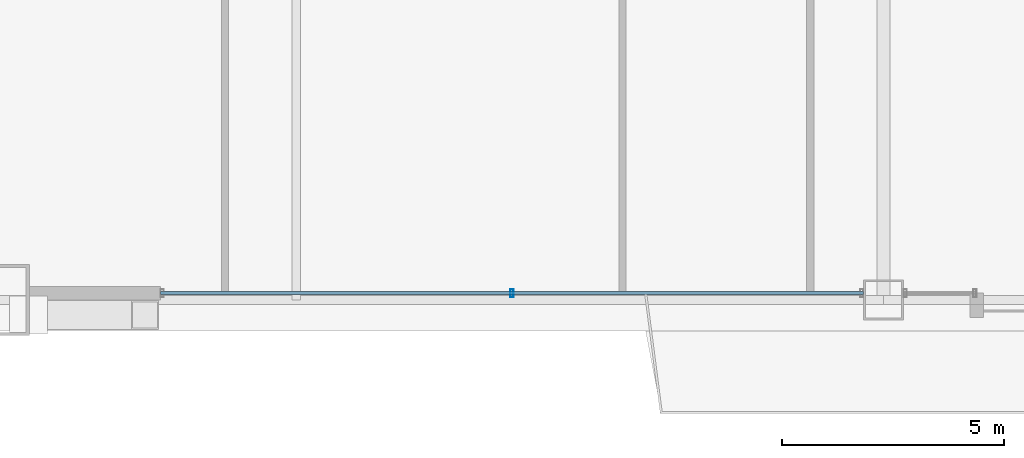
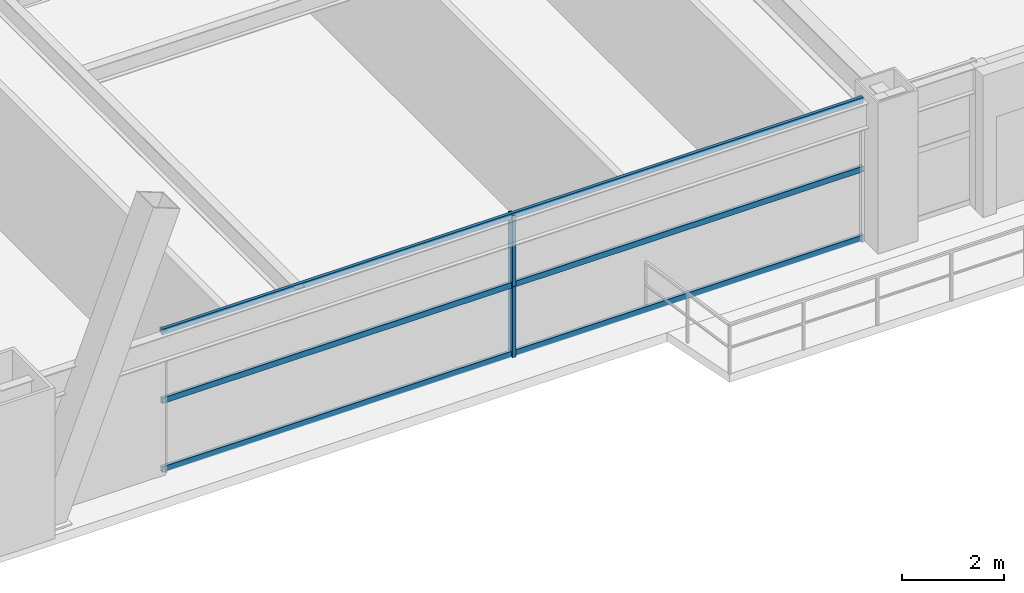
# One storey, part 6 of 41: 5 members, 1 element without a shape of its own.
"""IFC4 building model written with IfcOpenShell, lengths in metres."""

from ifc_helpers import new_model, si_unit, direction, frame, origin, origin_2d, place, context, subcontext, project, spatial, hollow_rectangle, extrude, source, transform, mapped, material, layer, layer_set, material_profile, profile_set, type_object, element, aggregate, save


model = new_model("IFC4")

# Units and contexts
model_context = context("Model", 3, precision=1e-05, world=origin(), true_north=direction((0.0, 1.0)))
body_context = subcontext(model_context, "Body", "Model", "MODEL_VIEW")
ifc_project = project(units=[si_unit("LENGTHUNIT", "METRE"), si_unit("AREAUNIT", "SQUARE_METRE"), si_unit("VOLUMEUNIT", "CUBIC_METRE"), si_unit("PLANEANGLEUNIT", "RADIAN"), si_unit("MASSUNIT", "GRAM", prefix="KILO"), si_unit("THERMODYNAMICTEMPERATUREUNIT", "KELVIN"), si_unit("POWERUNIT", "WATT")], contexts=[model_context])

# Site, building, storey
site_placement = place(None, origin())
site = spatial("IfcSite", under=ifc_project, at=site_placement, CompositionType="ELEMENT")
building_placement = place(site_placement, origin())
building = spatial("IfcBuilding", under=site, at=building_placement, Name="Yuzanri Waterfront Tower", CompositionType="ELEMENT")
storey_placement = place(building_placement, frame((0.0, 0.0, 152.39990234375)))
storey = spatial("IfcBuildingStorey", under=building, at=storey_placement, Name="L40", CompositionType="ELEMENT", Elevation=152.39990234375)

# Curtain wall, members
ifc_material_1 = material(Name="Anodized Architectural Bronze", Category="metal")
ifc_layer = layer(ifc_material_1, 0.159912109375)
ifc_layer_set = layer_set([ifc_layer], Name="Anodized Architectural Bronze")
curtain_wall_type = type_object("IfcCurtainWallType", Name="Anodized Bronze Hotel Upper-Tier Solar-Control Unitized Curtain Wall 7800", PredefinedType="NOTDEFINED", material=ifc_layer_set)
curtain_wall_placement = place(storey_placement, origin())
curtain_wall = element("IfcCurtainWall", 1, at=curtain_wall_placement, inside=storey, type_object=curtain_wall_type, Name="L40 Curtain Wall CW-L40-SL", PredefinedType="NOTDEFINED")
ifc_material_2 = material(Name="Anodized Architectural Bronze", Category="metal")
ifc_material_profile_1 = material_profile(ifc_material_2, hollow_rectangle(XDim=0.070068359375, YDim=0.179931640625, WallThickness=0.00390625, at=origin_2d()), Name="CWM 70x180")
ifc_profile_set_1 = profile_set([ifc_material_profile_1], Name="Anodized Architectural Bronze")
member_type_1 = type_object("IfcMemberType", Name="Anodized Bronze Standard Curtain-Wall Mullion 70x180", PredefinedType="MULLION", material=ifc_profile_set_1)
shared_shape_1 = source(origin(), body_context, "Body", "SweptSolid", [
    extrude(hollow_rectangle(XDim=0.070068359375, YDim=0.179931640625, WallThickness=0.00390625, at=origin_2d()), origin(), (0.0, 0.0, 1.0), 1.68798828125),
])
member_1_placement = place(storey_placement, frame((28.64990234375, 2.35009765625, 0.0), z_axis=(0.0, 0.0, 1.0), x_axis=(1.0, 0.0, 0.0)))
member_1 = element("IfcMember", 2, at=member_1_placement, type_object=member_type_1, Name="CW-L40-SL Lower Mullion 01", PredefinedType="MULLION", context=body_context, shape_type="MappedRepresentation", body=[
    mapped(shared_shape_1, transform((0.0, 0.0, 0.0), scale=1.0)),
])
member_2_placement = place(storey_placement, frame((28.64990234375, 2.35009765625, 1.692138671875), z_axis=(0.0, 0.0, 1.0), x_axis=(1.0, 0.0, 0.0)))
member_2 = element("IfcMember", 3, at=member_2_placement, type_object=member_type_1, Name="CW-L40-SL Upper Mullion 01", PredefinedType="MULLION", context=body_context, shape_type="MappedRepresentation", body=[
    mapped(shared_shape_1, transform((0.0, 0.0, 0.0), scale=1.0)),
])
ifc_material_3 = material(Name="Anodized Architectural Bronze", Category="metal")
ifc_material_profile_2 = material_profile(ifc_material_3, hollow_rectangle(XDim=0.070068359375, YDim=0.135009765625, WallThickness=0.00341796875, at=origin_2d()), Name="CWT 70x135")
ifc_profile_set_2 = profile_set([ifc_material_profile_2], Name="Anodized Architectural Bronze")
member_type_2 = type_object("IfcMemberType", Name="Anodized Bronze Standard Curtain-Wall Transom 70x135", PredefinedType="USERDEFINED", material=ifc_profile_set_2)
shared_shape_2 = source(origin(), body_context, "Body", "SweptSolid", [
    extrude(hollow_rectangle(XDim=0.070068359375, YDim=0.135009765625, WallThickness=0.00341796875, at=origin_2d()), origin(), (0.0, 0.0, 1.0), 15.800048828125),
])
member_3_placement = place(storey_placement, frame((20.75, 2.35009765625, 0.050048828125), z_axis=(1.0, 0.0, 0.0), x_axis=(0.0, 1.0, 0.0)))
member_3 = element("IfcMember", 4, at=member_3_placement, type_object=member_type_2, Name="CW-L40-SL Transom 1", ObjectType="TRANSOM", PredefinedType="USERDEFINED", context=body_context, shape_type="MappedRepresentation", body=[
    mapped(shared_shape_2, transform((0.0, 0.0, 0.0), scale=1.0)),
])
member_4_placement = place(storey_placement, frame((20.75, 2.35009765625, 1.690185546875), z_axis=(1.0, 0.0, 0.0), x_axis=(0.0, 1.0, 0.0)))
member_4 = element("IfcMember", 5, at=member_4_placement, type_object=member_type_2, Name="CW-L40-SL Transom 2", ObjectType="TRANSOM", PredefinedType="USERDEFINED", context=body_context, shape_type="MappedRepresentation", body=[
    mapped(shared_shape_2, transform((0.0, 0.0, 0.0), scale=1.0)),
])
member_5_placement = place(storey_placement, frame((20.75, 2.35009765625, 3.330078125), z_axis=(1.0, 0.0, 0.0), x_axis=(0.0, 1.0, 0.0)))
member_5 = element("IfcMember", 6, at=member_5_placement, type_object=member_type_2, Name="CW-L40-SL Transom 3", ObjectType="TRANSOM", PredefinedType="USERDEFINED", context=body_context, shape_type="MappedRepresentation", body=[
    mapped(shared_shape_2, transform((0.0, 0.0, 0.0), scale=1.0)),
])
aggregate(curtain_wall, [member_1, member_2, member_3, member_4, member_5])

save(model, "model.ifc")
